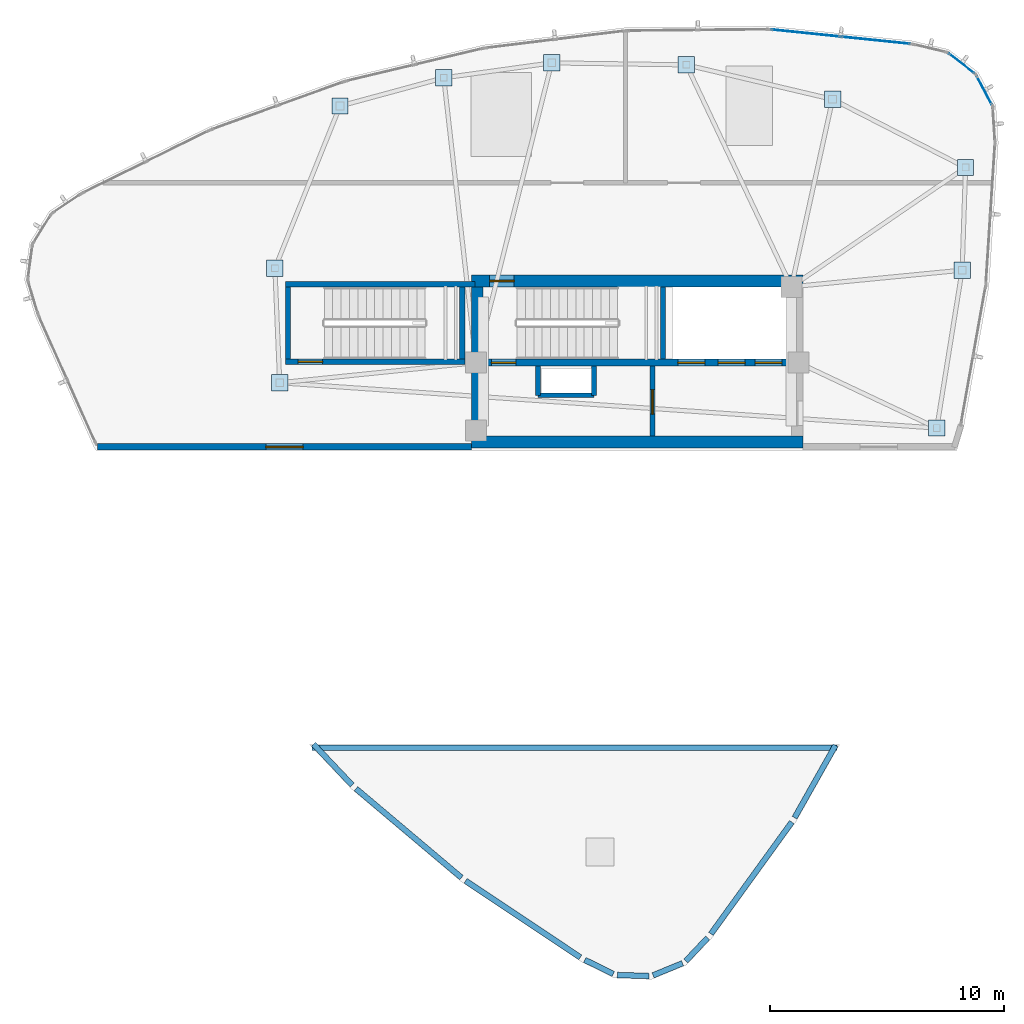
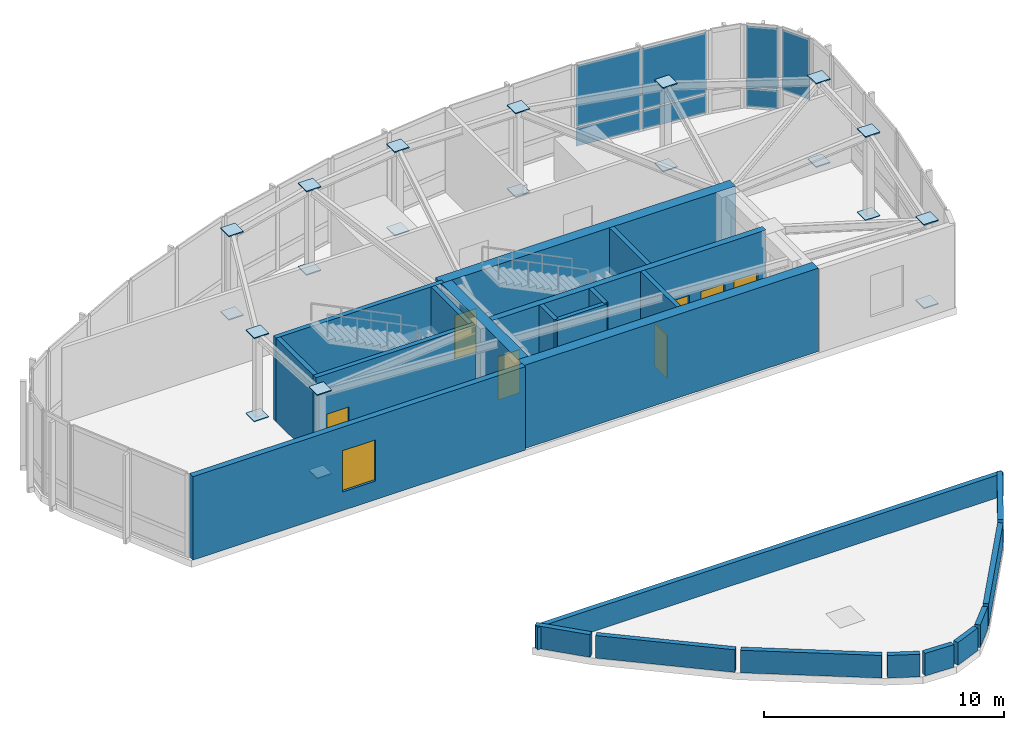
# One storey, part 7 of 11: 27 plates, 24 walls, 7 doors, 1 window, 8 openings, 3 elements without a shape of their own.
"""IFC4 building model written with IfcOpenShell, lengths in metres."""

from ifc_helpers import new_model, si_unit, direction, frame, frame_2d, origin, origin_2d, place, context, subcontext, project, spatial, rectangle, extrude, source, transform, mapped, material, layer, layer_set, type_object, type_shapes, element, fill, aggregate, save


model = new_model("IFC4")

# Units and contexts
model_context = context("Model", 3, precision=1e-05, world=origin(), true_north=direction((0.0, 1.0)))
body_context = subcontext(model_context, "Body", "Model", "MODEL_VIEW")
ifc_project = project(units=[si_unit("LENGTHUNIT", "METRE"), si_unit("AREAUNIT", "SQUARE_METRE"), si_unit("VOLUMEUNIT", "CUBIC_METRE"), si_unit("PLANEANGLEUNIT", "RADIAN"), si_unit("MASSUNIT", "GRAM", prefix="KILO")], contexts=[model_context])

# Site, building, storey
site_placement = place(None, origin())
site = spatial("IfcSite", under=ifc_project, at=site_placement, CompositionType="ELEMENT")
building_placement = place(site_placement, origin())
building = spatial("IfcBuilding", under=site, at=building_placement, Name="Tavelor Broadcast Tower", CompositionType="ELEMENT")
storey_placement = place(building_placement, frame((0.0, 0.0, 345.89990234375)))
storey = spatial("IfcBuildingStorey", under=building, at=storey_placement, Name="L82", CompositionType="ELEMENT", Elevation=345.89990234375)

# Plates
ifc_material_1 = material(Name="Steel S460", Category="steel")
ifc_layer_1 = layer(ifc_material_1, 0.050048828125)
ifc_layer_set_1 = layer_set([ifc_layer_1], Name="Steel S460")
plate_type_1 = type_object("IfcPlateType", Name="Tube Hollow-End Cap Plate KN05 700x700x50", PredefinedType="USERDEFINED", material=ifc_layer_set_1)
shared_shape_1 = source(origin(), body_context, "Body", "SweptSolid", [
    extrude(rectangle(XDim=0.699951171875, YDim=0.699951171875, at=origin_2d()), origin(), (0.0, 0.0, 1.0), 0.054931640625),
])
type_shapes(plate_type_1, [shared_shape_1])
for number, where, z_axis, x_axis, name in (
    (1, (37.27294921875, 58.9375, -0.02734375), (0.0, 0.0, 1.0), (1.0, 0.0, 0.0), "L82 Hollow End Cap Plate KN05 #2503"),
    (2, (37.27294921875, 58.9375, 4.22265625), (0.0, 0.0, 1.0), (1.0, 0.0, 0.0), "L82 Hollow End Cap Plate KN05 #2504"),
    (3, (34.4853515625, 51.989013671875, -0.02734375), (0.0, 0.0, 1.0), (1.0, 0.0, 0.0), "L82 Hollow End Cap Plate KN05 #2505"),
    (4, (34.4853515625, 51.989013671875, 4.22265625), (0.0, 0.0, 1.0), (1.0, 0.0, 0.0), "L82 Hollow End Cap Plate KN05 #2506"),
    (5, (34.690673828125, 47.090087890625, -0.02734375), (0.0, 0.0, 1.0), (1.0, 0.0, 0.0), "L82 Hollow End Cap Plate KN05 #2507"),
    (6, (34.690673828125, 47.090087890625, 4.22265625), (0.0, 0.0, 1.0), (1.0, 0.0, 0.0), "L82 Hollow End Cap Plate KN05 #2508"),
    (7, (62.826416015625, 45.14990234375, -0.02734375), (0.0, 0.0, 1.0), (1.0, 0.0, 0.0), "L82 Hollow End Cap Plate KN05 #2509"),
    (8, (62.826416015625, 45.14990234375, 4.22265625), (0.0, 0.0, 1.0), (1.0, 0.0, 0.0), "L82 Hollow End Cap Plate KN05 #2510"),
    (9, (63.910888671875, 51.91064453125, -0.02734375), (0.0, 0.0, 1.0), (1.0, 0.0, 0.0), "L82 Hollow End Cap Plate KN05 #2511"),
    (10, (63.910888671875, 51.91064453125, 4.22265625), (0.0, 0.0, 1.0), (1.0, 0.0, 0.0), "L82 Hollow End Cap Plate KN05 #2512"),
    (11, (64.058349609375, 56.30859375, -0.02734375), (0.0, 0.0, 1.0), (1.0, 0.0, 0.0), "L82 Hollow End Cap Plate KN05 #2513"),
    (12, (64.058349609375, 56.30859375, 4.22265625), (0.0, 0.0, 1.0), (1.0, 0.0, 0.0), "L82 Hollow End Cap Plate KN05 #2514"),
    (13, (58.364013671875, 59.226318359375, -0.02734375), (0.0, 0.0, 1.0), (1.0, 0.0, 0.0), "L82 Hollow End Cap Plate KN05 #2515"),
    (14, (58.364013671875, 59.226318359375, 4.22265625), (0.0, 0.0, 1.0), (1.0, 0.0, 0.0), "L82 Hollow End Cap Plate KN05 #2516"),
    (15, (52.10400390625, 60.701416015625, -0.02734375), (0.0, 0.0, 1.0), (1.0, 0.0, 0.0), "L82 Hollow End Cap Plate KN05 #2517"),
    (16, (52.10400390625, 60.701416015625, 4.22265625), (0.0, 0.0, 1.0), (1.0, 0.0, 0.0), "L82 Hollow End Cap Plate KN05 #2518"),
    (17, (46.337158203125, 60.786865234375, -0.02734375), (0.0, 0.0, 1.0), (1.0, 0.0, 0.0), "L82 Hollow End Cap Plate KN05 #2519"),
    (18, (46.337158203125, 60.786865234375, 4.22265625), (0.0, 0.0, 1.0), (1.0, 0.0, 0.0), "L82 Hollow End Cap Plate KN05 #2520"),
    (19, (41.715087890625, 60.145751953125, -0.02734375), (0.0, 0.0, 1.0), (1.0, 0.0, 0.0), "L82 Hollow End Cap Plate KN05 #2521"),
    (20, (41.715087890625, 60.145751953125, 4.22265625), (0.0, 0.0, 1.0), (1.0, 0.0, 0.0), "L82 Hollow End Cap Plate KN05 #2522"),
):
    element("IfcPlate", number, at=place(storey_placement, frame(where, z_axis=z_axis, x_axis=x_axis)), inside=storey, type_object=plate_type_1, Name=name, ObjectType="CAP PLATE", PredefinedType="USERDEFINED", context=body_context, shape_type="MappedRepresentation", body=[
        mapped(shared_shape_1, transform((0.0, 0.0, 0.0), scale=1.0)),
    ])

# Curtain wall, plates
ifc_material_2 = material(Name="Architectural Anodized Aluminium", Category="aluminium")
ifc_layer_2 = layer(ifc_material_2, 0.2099609375)
ifc_layer_set_2 = layer_set([ifc_layer_2], Name="Architectural Anodized Aluminium")
curtain_wall_type = type_object("IfcCurtainWallType", Name="Split-Crown Beacon Curtain Wall CW06", PredefinedType="NOTDEFINED", material=ifc_layer_set_2)
curtain_wall_1_placement = place(storey_placement, origin())
curtain_wall_1 = element("IfcCurtainWall", 21, at=curtain_wall_1_placement, inside=storey, type_object=curtain_wall_type, Name="L82 Curtain Wall CW06 Run 961", PredefinedType="NOTDEFINED")
ifc_material_3 = material(Name="Dichroic Solar Laminated Glazing 34 mm", Category="glass")
ifc_layer_3 = layer(ifc_material_3, 0.033935546875)
ifc_layer_set_3 = layer_set([ifc_layer_3], Name="Dichroic Solar Laminated Glazing 34 mm")
plate_type_2 = type_object("IfcPlateType", Name="CW06 Insulated Vision Glazing Panel 34 mm", PredefinedType="CURTAIN_PANEL", material=ifc_layer_set_3)
shared_shape_2 = source(origin(), body_context, "Body", "SweptSolid", [
    extrude(rectangle(XDim=2.94140625, YDim=0.033935546875, at=origin_2d()), origin(), (0.0, 0.0, 1.0), 0.94189453125),
])
plate_1_placement = place(storey_placement, frame((60.2080078125, 61.753173828125, 0.072265625), z_axis=(0.0, 0.0, 1.0), x_axis=(-0.99473700933, 0.102461125653, 0.0)))
plate_1 = element("IfcPlate", 22, at=plate_1_placement, type_object=plate_type_2, Name="CW06 panel 1.1", PredefinedType="CURTAIN_PANEL", context=body_context, shape_type="MappedRepresentation", body=[
    mapped(shared_shape_2, transform((0.0, 0.0, 0.0), scale=1.0)),
])
plate_2_placement = place(storey_placement, frame((57.21044921875, 62.06201171875, 0.072265625), z_axis=(0.0, 0.0, 1.0), x_axis=(-0.99473700933, 0.102461125653, 0.0)))
plate_2 = element("IfcPlate", 23, at=plate_2_placement, type_object=plate_type_2, Name="CW06 panel 2.1", PredefinedType="CURTAIN_PANEL", context=body_context, shape_type="MappedRepresentation", body=[
    mapped(shared_shape_2, transform((0.0, 0.0, 0.0), scale=1.0)),
])
shared_shape_3 = source(origin(), body_context, "Body", "SweptSolid", [
    extrude(rectangle(XDim=2.94140625, YDim=0.033935546875, at=origin_2d()), origin(), (0.0, 0.0, 1.0), 3.092041015625),
])
plate_3_placement = place(storey_placement, frame((60.2080078125, 61.753173828125, 1.0859375), z_axis=(0.0, 0.0, 1.0), x_axis=(-0.99473700933, 0.102461125653, 0.0)))
plate_3 = element("IfcPlate", 24, at=plate_3_placement, type_object=plate_type_2, Name="CW06 panel 1.2", PredefinedType="CURTAIN_PANEL", context=body_context, shape_type="MappedRepresentation", body=[
    mapped(shared_shape_3, transform((0.0, 0.0, 0.0), scale=1.0)),
])
plate_4_placement = place(storey_placement, frame((57.21044921875, 62.06201171875, 1.0859375), z_axis=(0.0, 0.0, 1.0), x_axis=(-0.99473700933, 0.102461125653, 0.0)))
plate_4 = element("IfcPlate", 25, at=plate_4_placement, type_object=plate_type_2, Name="CW06 panel 2.2", PredefinedType="CURTAIN_PANEL", context=body_context, shape_type="MappedRepresentation", body=[
    mapped(shared_shape_3, transform((0.0, 0.0, 0.0), scale=1.0)),
])
aggregate(curtain_wall_1, [plate_1, plate_3, plate_2, plate_4])

# Curtain wall, plate
curtain_wall_2_placement = place(storey_placement, origin())
curtain_wall_2 = element("IfcCurtainWall", 26, at=curtain_wall_2_placement, inside=storey, type_object=curtain_wall_type, Name="L82 Curtain Wall CW06 Run 959", PredefinedType="NOTDEFINED")
shared_shape_4 = source(origin(), body_context, "Body", "SweptSolid", [
    extrude(rectangle(XDim=1.3662109375, YDim=0.033935546875, at=origin_2d()), origin(), (0.0, 0.0, 1.0), 0.94189453125),
])
plate_5_placement = place(storey_placement, frame((63.88623046875, 60.7626953125, 0.072265625), z_axis=(0.0, 0.0, 1.0), x_axis=(-0.791749315653, 0.610846151795, 0.0)))
plate_5 = element("IfcPlate", 27, at=plate_5_placement, type_object=plate_type_2, Name="CW06 panel 1.1", PredefinedType="CURTAIN_PANEL", context=body_context, shape_type="MappedRepresentation", body=[
    mapped(shared_shape_4, transform((0.0, 0.0, 0.0), scale=1.0)),
])

curtain_wall_3_placement = place(storey_placement, origin())
curtain_wall_3 = element("IfcCurtainWall", 28, at=curtain_wall_3_placement, inside=storey, type_object=curtain_wall_type, Name="L82 Curtain Wall CW06 Run 958", PredefinedType="NOTDEFINED")
shared_shape_5 = source(origin(), body_context, "Body", "SweptSolid", [
    extrude(rectangle(XDim=1.3662109375, YDim=0.033935546875, at=origin_2d()), origin(), (0.0, 0.0, 1.0), 3.092041015625),
])
type_shapes(plate_type_2, [shared_shape_2, shared_shape_3, shared_shape_4, shared_shape_5])
plate_6_placement = place(storey_placement, frame((64.858154296875, 59.61279296875, 1.0859375), z_axis=(0.0, 0.0, 1.0), x_axis=(-0.470213568918, 0.882552661095, 0.0)))
plate_6 = element("IfcPlate", 29, at=plate_6_placement, type_object=plate_type_2, Name="CW06 panel 1.2", PredefinedType="CURTAIN_PANEL", context=body_context, shape_type="MappedRepresentation", body=[
    mapped(shared_shape_5, transform((0.0, 0.0, 0.0), scale=1.0)),
])
aggregate(curtain_wall_3, [plate_6])

# Plate
plate_7_placement = place(storey_placement, frame((63.88623046875, 60.7626953125, 1.0859375), z_axis=(0.0, 0.0, 1.0), x_axis=(-0.791749315653, 0.610846151795, 0.0)))
plate_7 = element("IfcPlate", 30, at=plate_7_placement, type_object=plate_type_2, Name="CW06 panel 1.2", PredefinedType="CURTAIN_PANEL", context=body_context, shape_type="MappedRepresentation", body=[
    mapped(shared_shape_5, transform((0.0, 0.0, 0.0), scale=1.0)),
])

aggregate(curtain_wall_2, [plate_5, plate_7])

# Wall, opening, door
ifc_material_4 = material(Name="Concrete C50/60", Category="concrete")
ifc_layer_4 = layer(ifc_material_4, 0.5)
ifc_layer_set_4 = layer_set([ifc_layer_4], Name="Concrete C50/60")
wall_type_1 = type_object("IfcWallType", Name="Core Shear Wall 500 mm", PredefinedType="SHEAR", material=ifc_layer_set_4)
wall_1_placement = place(storey_placement, frame((42.89990234375, 51.449951171875, 0.0), z_axis=(0.0, 0.0, 1.0), x_axis=(1.0, 0.0, 0.0)))
wall_1 = element("IfcWall", 31, at=wall_1_placement, inside=storey, type_object=wall_type_1, Name="L82 Central Core Shear Wall N", PredefinedType="SHEAR", context=body_context, shape_type="SweptSolid", body=[
    extrude(rectangle(XDim=14.2001953125, YDim=0.5, at=frame_2d((7.10009765625, 0.0))), origin(), (0.0, 0.0, 1.0), 4.25),
])
opening_1_placement = place(wall_1_placement, frame((0.780029296875, 0.0, 0.0)))
opening_1 = element("IfcOpeningElement", 32, at=opening_1_placement, cuts=wall_1, Name="Opening DR11", PredefinedType="OPENING", context=body_context, shape_type="SweptSolid", body=[
    extrude(rectangle(XDim=1.050048828125, YDim=2.199951171875, at=frame_2d((0.52490234375, 1.10009765625))), frame((0.0, 0.260009765625, 0.0), z_axis=(0.0, -1.0, 0.0), x_axis=(1.0, 0.0, 0.0)), (0.0, 0.0, 1.0), 0.52001953125),
])
ifc_material_5 = material(Name="Steel S355", Category="steel")
door_type_1 = type_object("IfcDoorType", Name="Stair Core Fire Escape Door 1050x2200", OperationType="NOTDEFINED", PredefinedType="DOOR", material=ifc_material_5)
door_1_placement = place(opening_1_placement, origin())
door_1 = element("IfcDoor", 33, at=door_1_placement, inside=storey, type_object=door_type_1, Name="L82 Stair ST1 Protected Exit Door", OperationType="SINGLE_SWING_LEFT", OverallHeight=2.199951171875, OverallWidth=1.050048828125, PredefinedType="DOOR", context=body_context, shape_type="SweptSolid", body=[
    extrude(rectangle(XDim=1.050048828125, YDim=2.199951171875, at=frame_2d((0.52490234375, 1.10009765625))), frame((0.0, 0.02490234375, 0.0), z_axis=(0.0, -1.0, 0.0), x_axis=(1.0, 0.0, 0.0)), (0.0, 0.0, 1.0), 0.050048828125),
])
fill(opening_1, door_1)

# Walls
wall_2_placement = place(storey_placement, frame((42.89990234375, 44.550048828125, 0.0), z_axis=(0.0, 0.0, 1.0), x_axis=(1.0, 0.0, 0.0)))
element("IfcWall", 34, at=wall_2_placement, inside=storey, type_object=wall_type_1, Name="L82 Central Core Shear Wall S", PredefinedType="SHEAR", context=body_context, shape_type="SweptSolid", body=[
    extrude(rectangle(XDim=14.2001953125, YDim=0.5, at=frame_2d((7.10009765625, 0.0))), origin(), (0.0, 0.0, 1.0), 4.25),
])
wall_3_placement = place(storey_placement, frame((43.14990234375, 44.800048828125, 0.0), z_axis=(0.0, 0.0, 1.0), x_axis=(0.0, 1.0, 0.0)))
element("IfcWall", 35, at=wall_3_placement, inside=storey, type_object=wall_type_1, Name="L82 Central Core Shear Wall W", PredefinedType="SHEAR", context=body_context, shape_type="SweptSolid", body=[
    extrude(rectangle(XDim=6.39990234375, YDim=0.5, at=frame_2d((3.199951171875, 0.0))), origin(), (0.0, 0.0, 1.0), 4.25),
])

# Wall, openings, doors
ifc_layer_5 = layer(ifc_material_4, 0.300048828125)
ifc_layer_set_5 = layer_set([ifc_layer_5], Name="Concrete C50/60")
wall_type_2 = type_object("IfcWallType", Name="Core Spine Shear Wall 300 mm C50", PredefinedType="SHEAR", material=ifc_layer_set_5)
wall_4_placement = place(storey_placement, frame((43.39990234375, 47.949951171875, 0.0), z_axis=(0.0, 0.0, 1.0), x_axis=(1.0, 0.0, 0.0)))
wall_4 = element("IfcWall", 36, at=wall_4_placement, inside=storey, type_object=wall_type_2, Name="L82 Central Core Shear Wall SP1", PredefinedType="SHEAR", context=body_context, shape_type="SweptSolid", body=[
    extrude(rectangle(XDim=13.2001953125, YDim=0.300048828125, at=frame_2d((6.60009765625, 0.0))), origin(), (0.0, 0.0, 1.0), 4.25),
])
opening_2_placement = place(wall_4_placement, frame((0.35009765625, 0.0, 0.0)))
opening_2 = element("IfcOpeningElement", 37, at=opening_2_placement, cuts=wall_4, Name="Opening DR11", PredefinedType="OPENING", context=body_context, shape_type="SweptSolid", body=[
    extrude(rectangle(XDim=1.050048828125, YDim=2.199951171875, at=frame_2d((0.52490234375, 1.10009765625))), frame((0.0, 0.16015625, 0.0), z_axis=(0.0, -1.0, 0.0), x_axis=(1.0, 0.0, 0.0)), (0.0, 0.0, 1.0), 0.320068359375),
])
opening_3_placement = place(wall_4_placement, frame((8.344970703125, 0.0, 0.0)))
opening_3 = element("IfcOpeningElement", 38, at=opening_3_placement, cuts=wall_4, Name="Opening LD02", PredefinedType="OPENING", context=body_context, shape_type="SweptSolid", body=[
    extrude(rectangle(XDim=1.14990234375, YDim=2.199951171875, at=frame_2d((0.574951171875, 1.10009765625))), frame((0.0, 0.16015625, 0.0), z_axis=(0.0, -1.0, 0.0), x_axis=(1.0, 0.0, 0.0)), (0.0, 0.0, 1.0), 0.320068359375),
])
opening_4_placement = place(wall_4_placement, frame((10.06494140625, 0.0, 0.0)))
opening_4 = element("IfcOpeningElement", 39, at=opening_4_placement, cuts=wall_4, Name="Opening LD02", PredefinedType="OPENING", context=body_context, shape_type="SweptSolid", body=[
    extrude(rectangle(XDim=1.14990234375, YDim=2.199951171875, at=frame_2d((0.574951171875, 1.10009765625))), frame((0.0, 0.16015625, 0.0), z_axis=(0.0, -1.0, 0.0), x_axis=(1.0, 0.0, 0.0)), (0.0, 0.0, 1.0), 0.320068359375),
])
opening_5_placement = place(wall_4_placement, frame((11.64501953125, 0.0, 0.0)))
opening_5 = element("IfcOpeningElement", 40, at=opening_5_placement, cuts=wall_4, Name="Opening LD03", PredefinedType="OPENING", context=body_context, shape_type="SweptSolid", body=[
    extrude(rectangle(XDim=1.14990234375, YDim=2.199951171875, at=frame_2d((0.574951171875, 1.10009765625))), frame((0.0, 0.16015625, 0.0), z_axis=(0.0, -1.0, 0.0), x_axis=(1.0, 0.0, 0.0)), (0.0, 0.0, 1.0), 0.320068359375),
])
ifc_material_6 = material(Name="Reinforced Brushed Stainless Steel", Category="concrete")
door_type_2 = type_object("IfcDoorType", Name="Broadcast Goods Lift Sliding Landing Door 1250x2200", OperationType="NOTDEFINED", PredefinedType="DOOR", material=ifc_material_6)
door_2_placement = place(opening_5_placement, origin())
door_2 = element("IfcDoor", 41, at=door_2_placement, inside=storey, type_object=door_type_2, Name="L82 Lift SVL1 Sliding Landing Door", OperationType="SLIDING_TO_LEFT", OverallHeight=2.199951171875, OverallWidth=1.14990234375, PredefinedType="DOOR", context=body_context, shape_type="SweptSolid", body=[
    extrude(rectangle(XDim=1.14990234375, YDim=2.199951171875, at=frame_2d((0.574951171875, 1.10009765625))), frame((0.0, 0.02490234375, 0.0), z_axis=(0.0, -1.0, 0.0), x_axis=(1.0, 0.0, 0.0)), (0.0, 0.0, 1.0), 0.050048828125),
])
fill(opening_5, door_2)
ifc_material_7 = material(Name="Fire-Rated Stainless Steel", Category="steel")
door_type_3 = type_object("IfcDoorType", Name="Firefighting Lift Sliding Landing Door 1200x2200", OperationType="NOTDEFINED", PredefinedType="DOOR", material=ifc_material_7)
door_3_placement = place(opening_3_placement, origin())
door_3 = element("IfcDoor", 42, at=door_3_placement, inside=storey, type_object=door_type_3, Name="L82 Lift FFL1 Sliding Landing Door", OperationType="SLIDING_TO_LEFT", OverallHeight=2.199951171875, OverallWidth=1.14990234375, PredefinedType="DOOR", context=body_context, shape_type="SweptSolid", body=[
    extrude(rectangle(XDim=1.14990234375, YDim=2.199951171875, at=frame_2d((0.574951171875, 1.10009765625))), frame((0.0, 0.02490234375, 0.0), z_axis=(0.0, -1.0, 0.0), x_axis=(1.0, 0.0, 0.0)), (0.0, 0.0, 1.0), 0.050048828125),
])
fill(opening_3, door_3)
door_4_placement = place(opening_4_placement, origin())
door_4 = element("IfcDoor", 43, at=door_4_placement, inside=storey, type_object=door_type_3, Name="L82 Lift FFL2 Sliding Landing Door", OperationType="SLIDING_TO_LEFT", OverallHeight=2.199951171875, OverallWidth=1.14990234375, PredefinedType="DOOR", context=body_context, shape_type="SweptSolid", body=[
    extrude(rectangle(XDim=1.14990234375, YDim=2.199951171875, at=frame_2d((0.574951171875, 1.10009765625))), frame((0.0, 0.02490234375, 0.0), z_axis=(0.0, -1.0, 0.0), x_axis=(1.0, 0.0, 0.0)), (0.0, 0.0, 1.0), 0.050048828125),
])
fill(opening_4, door_4)
door_5_placement = place(opening_2_placement, origin())
door_5 = element("IfcDoor", 44, at=door_5_placement, inside=storey, type_object=door_type_1, Name="L82 Crown Core Stair ST1 Door", OperationType="SINGLE_SWING_LEFT", OverallHeight=2.199951171875, OverallWidth=1.050048828125, PredefinedType="DOOR", context=body_context, shape_type="SweptSolid", body=[
    extrude(rectangle(XDim=1.050048828125, YDim=2.199951171875, at=frame_2d((0.52490234375, 1.10009765625))), frame((0.0, 0.02490234375, 0.0), z_axis=(0.0, -1.0, 0.0), x_axis=(1.0, 0.0, 0.0)), (0.0, 0.0, 1.0), 0.050048828125),
])
fill(opening_2, door_5)

# Wall, opening, window
ifc_material_8 = material(Name="Precast Concrete C40/50", Category="concrete")
ifc_layer_6 = layer(ifc_material_8, 0.280029296875)
ifc_layer_set_6 = layer_set([ifc_layer_6], Name="Precast Concrete C40/50")
wall_type_3 = type_object("IfcWallType", Name="Insulated Precast Terracotta Facade Wall 280 mm", PredefinedType="STANDARD", material=ifc_layer_set_6)
wall_5_placement = place(storey_placement, frame((26.881103515625, 44.340087890625, 0.0), z_axis=(0.0, 0.0, 1.0), x_axis=(1.0, 0.0, 0.0)))
wall_5 = element("IfcWall", 45, at=wall_5_placement, inside=storey, type_object=wall_type_3, Name="L82 Crown Peak A Sky-Slot Wall 01.1", PredefinedType="STANDARD", context=body_context, shape_type="SweptSolid", body=[
    extrude(rectangle(XDim=16.02880859375, YDim=0.280029296875, at=frame_2d((8.014404296875, 0.0))), origin(), (0.0, 0.0, 1.0), 4.25),
])
opening_6_placement = place(wall_5_placement, frame((7.21435546875, 0.0, 0.949951171875)))
opening_6 = element("IfcOpeningElement", 46, at=opening_6_placement, cuts=wall_5, Name="Opening WN29", PredefinedType="OPENING", context=body_context, shape_type="SweptSolid", body=[
    extrude(rectangle(XDim=1.60009765625, YDim=2.10009765625, at=frame_2d((0.800048828125, 1.050048828125))), frame((0.0, 0.14990234375, 0.0), z_axis=(0.0, -1.0, 0.0), x_axis=(1.0, 0.0, 0.0)), (0.0, 0.0, 1.0), 0.300048828125),
])
ifc_material_9 = material(Name="Acoustic Double Glazing 28 mm", Category="glass")
window_type = type_object("IfcWindowType", Name="Crown Beacon Observation Window 1600x2100", PartitioningType="SINGLE_PANEL", PredefinedType="WINDOW", material=ifc_material_9)
window_placement = place(opening_6_placement, origin())
window = element("IfcWindow", 47, at=window_placement, inside=storey, type_object=window_type, Name="L82 Crown Sky-Slot Observation Window A01.1", OverallHeight=2.10009765625, OverallWidth=1.60009765625, PartitioningType="SINGLE_PANEL", PredefinedType="WINDOW", context=body_context, shape_type="SweptSolid", body=[
    extrude(rectangle(XDim=1.60009765625, YDim=2.10009765625, at=frame_2d((0.800048828125, 1.050048828125))), frame((0.0, 0.030029296875, 0.0), z_axis=(0.0, -1.0, 0.0), x_axis=(1.0, 0.0, 0.0)), (0.0, 0.0, 1.0), 0.06005859375),
])
fill(opening_6, window)

# Walls
ifc_material_10 = material(Name="Concrete Blockwork 200 mm", Category="masonry")
ifc_layer_7 = layer(ifc_material_10, 0.199951171875)
ifc_layer_set_7 = layer_set([ifc_layer_7], Name="Concrete Blockwork 200 mm")
wall_type_4 = type_object("IfcWallType", Name="Lift and Riser Shaft Enclosure Wall 200 mm", PredefinedType="PARTITIONING", material=ifc_layer_set_7)
wall_6_placement = place(storey_placement, frame((45.75, 46.550048828125, 0.0), z_axis=(0.0, 0.0, 1.0), x_axis=(1.0, 0.0, 0.0)))
element("IfcWall", 48, at=wall_6_placement, inside=storey, type_object=wall_type_4, Name="L82 Riser Shaft South Wall", PredefinedType="PARTITIONING", context=body_context, shape_type="SweptSolid", body=[
    extrude(rectangle(XDim=2.39990234375, YDim=0.199951171875, at=frame_2d((1.199951171875, 0.0))), origin(), (0.0, 0.0, 1.0), 4.25),
])
for number, where, z_axis, x_axis, name in (
    (49, (48.14990234375, 46.550048828125, 0.0), (0.0, 0.0, 1.0), (0.0, 1.0, 0.0), "L82 Riser Shaft East Wall"),
    (50, (45.75, 46.550048828125, 0.0), (0.0, 0.0, 1.0), (0.0, 1.0, 0.0), "L82 Riser Shaft West Wall"),
):
    element("IfcWall", number, at=place(storey_placement, frame(where, z_axis=z_axis, x_axis=x_axis)), inside=storey, type_object=wall_type_4, Name=name, PredefinedType="PARTITIONING", context=body_context, shape_type="SweptSolid", body=[
        extrude(rectangle(XDim=1.25, YDim=0.199951171875, at=frame_2d((0.625, 0.0))), origin(), (0.0, 0.0, 1.0), 4.25),
    ])

# Wall, opening, door
wall_7_placement = place(storey_placement, frame((50.64990234375, 44.800048828125, 0.0), z_axis=(0.0, 0.0, 1.0), x_axis=(0.0, 1.0, 0.0)))
wall_7 = element("IfcWall", 51, at=wall_7_placement, inside=storey, type_object=wall_type_4, Name="L82 Firefighting Lobby West Wall", PredefinedType="PARTITIONING", context=body_context, shape_type="SweptSolid", body=[
    extrude(rectangle(XDim=3.0, YDim=0.199951171875, at=frame_2d((1.5, 0.0))), origin(), (0.0, 0.0, 1.0), 4.25),
])
opening_7_placement = place(wall_7_placement, frame((0.949951171875, 0.0, 0.0)))
opening_7 = element("IfcOpeningElement", 52, at=opening_7_placement, cuts=wall_7, Name="Opening DR11", PredefinedType="OPENING", context=body_context, shape_type="SweptSolid", body=[
    extrude(rectangle(XDim=1.050048828125, YDim=2.199951171875, at=frame_2d((0.52490234375, 1.10009765625))), frame((0.0, 0.10986328125, 0.0), z_axis=(0.0, -1.0, 0.0), x_axis=(1.0, 0.0, 0.0)), (0.0, 0.0, 1.0), 0.219970703125),
])
door_6_placement = place(opening_7_placement, origin())
door_6 = element("IfcDoor", 53, at=door_6_placement, inside=storey, type_object=door_type_1, Name="L82 Firefighting Lobby Compartment Door", OperationType="SINGLE_SWING_LEFT", OverallHeight=2.199951171875, OverallWidth=1.050048828125, PredefinedType="DOOR", context=body_context, shape_type="SweptSolid", body=[
    extrude(rectangle(XDim=1.050048828125, YDim=2.199951171875, at=frame_2d((0.52490234375, 1.10009765625))), frame((0.0, 0.02490234375, 0.0), z_axis=(0.0, -1.0, 0.0), x_axis=(1.0, 0.0, 0.0)), (0.0, 0.0, 1.0), 0.050048828125),
])
fill(opening_7, door_6)

# Walls
ifc_layer_8 = layer(ifc_material_8, 0.239990234375)
ifc_layer_set_8 = layer_set([ifc_layer_8], Name="Precast Concrete C40/50")
wall_type_5 = type_object("IfcWallType", Name="Roof and Terrace Perimeter Parapet Wall 240 mm", PredefinedType="PARAPET", material=ifc_layer_set_8)
wall_8_placement = place(storey_placement, frame((58.548583984375, 31.4599609375, 0.0), z_axis=(0.0, 0.0, 1.0), x_axis=(-1.0, 0.0, 0.0)))
element("IfcWall", 54, at=wall_8_placement, inside=storey, type_object=wall_type_5, Name="L82 Peak B Roof Perimeter Parapet 01", PredefinedType="PARAPET", context=body_context, shape_type="SweptSolid", body=[
    extrude(rectangle(XDim=22.470458984375, YDim=0.239990234375, at=frame_2d((11.2353515625, 0.0))), origin(), (0.0, 0.0, 1.0), 1.150146484375),
])
wall_9_placement = place(storey_placement, frame((36.142333984375, 31.609130859375, 0.0), z_axis=(0.0, 0.0, 1.0), x_axis=(0.687246180233, -0.726424591926, 0.0)))
element("IfcWall", 55, at=wall_9_placement, inside=storey, type_object=wall_type_5, Name="L82 Peak B Roof Perimeter Parapet 02", PredefinedType="PARAPET", context=body_context, shape_type="SweptSolid", body=[
    extrude(rectangle(XDim=2.4052734375, YDim=0.239990234375, at=frame_2d((1.20263671875, 0.0))), origin(), (0.0, 0.0, 1.0), 1.150146484375),
])
for number, where, z_axis, x_axis, name in (
    (56, (37.958251953125, 29.7080078125, 0.0), (0.0, 0.0, 1.0), (0.764351330445, -0.644800002828, 0.0), "L82 Peak B Roof Perimeter Parapet 03"),
    (57, (42.6513671875, 25.76513671875, 0.0), (0.0, 0.0, 1.0), (0.831783083987, -0.555100802732, 0.0), "L82 Peak B Roof Perimeter Parapet 04"),
):
    element("IfcWall", number, at=place(storey_placement, frame(where, z_axis=z_axis, x_axis=x_axis)), inside=storey, type_object=wall_type_5, Name=name, PredefinedType="PARAPET", context=body_context, shape_type="SweptSolid", body=[
        extrude(rectangle(XDim=5.90576171875, YDim=0.239990234375, at=frame_2d((2.952880859375, 0.0))), origin(), (0.0, 0.0, 1.0), 1.150146484375),
    ])
wall_10_placement = place(storey_placement, frame((47.75537109375, 22.376220703125, 0.0), z_axis=(0.0, 0.0, 1.0), x_axis=(0.896854293511, -0.44232609714, 0.0)))
element("IfcWall", 58, at=wall_10_placement, inside=storey, type_object=wall_type_5, Name="L82 Peak B Roof Perimeter Parapet 05", PredefinedType="PARAPET", context=body_context, shape_type="SweptSolid", body=[
    extrude(rectangle(XDim=1.360595703125, YDim=0.239990234375, at=frame_2d((0.68017578125, 0.0))), origin(), (0.0, 0.0, 1.0), 1.150146484375),
])
wall_11_placement = place(storey_placement, frame((49.14599609375, 21.7314453125, 0.0), z_axis=(0.0, 0.0, 1.0), x_axis=(0.999424607474, -0.033918342757, 0.0)))
element("IfcWall", 59, at=wall_11_placement, inside=storey, type_object=wall_type_5, Name="L82 Peak B Roof Perimeter Parapet 06", PredefinedType="PARAPET", context=body_context, shape_type="SweptSolid", body=[
    extrude(rectangle(XDim=1.3603515625, YDim=0.239990234375, at=frame_2d((0.68017578125, 0.0))), origin(), (0.0, 0.0, 1.0), 1.150146484375),
])
wall_12_placement = place(storey_placement, frame((50.6787109375, 21.71630859375, 0.0), z_axis=(0.0, 0.0, 1.0), x_axis=(0.924882367687, 0.380253344418, 0.0)))
element("IfcWall", 60, at=wall_12_placement, inside=storey, type_object=wall_type_5, Name="L82 Peak B Roof Perimeter Parapet 07", PredefinedType="PARAPET", context=body_context, shape_type="SweptSolid", body=[
    extrude(rectangle(XDim=1.360595703125, YDim=0.239990234375, at=frame_2d((0.68017578125, 0.0))), origin(), (0.0, 0.0, 1.0), 1.150146484375),
])
wall_13_placement = place(storey_placement, frame((52.081787109375, 22.333251953125, 0.0), z_axis=(0.0, 0.0, 1.0), x_axis=(0.6864443423, 0.727182346406, 0.0)))
element("IfcWall", 61, at=wall_13_placement, inside=storey, type_object=wall_type_5, Name="L82 Peak B Roof Perimeter Parapet 08", PredefinedType="PARAPET", context=body_context, shape_type="SweptSolid", body=[
    extrude(rectangle(XDim=1.3603515625, YDim=0.239990234375, at=frame_2d((0.68017578125, 0.0))), origin(), (0.0, 0.0, 1.0), 1.150146484375),
])
wall_14_placement = place(storey_placement, frame((53.15673828125, 23.492919921875, 0.0), z_axis=(0.0, 0.0, 1.0), x_axis=(0.5860805246, 0.810252811587, 0.0)))
element("IfcWall", 62, at=wall_14_placement, inside=storey, type_object=wall_type_5, Name="L82 Peak B Roof Perimeter Parapet 09", PredefinedType="PARAPET", context=body_context, shape_type="SweptSolid", body=[
    extrude(rectangle(XDim=5.906005859375, YDim=0.239990234375, at=frame_2d((2.953125, 0.0))), origin(), (0.0, 0.0, 1.0), 1.150146484375),
])
wall_15_placement = place(storey_placement, frame((56.739013671875, 28.466796875, 0.0), z_axis=(0.0, 0.0, 1.0), x_axis=(0.491645577382, 0.87079539861, 0.0)))
element("IfcWall", 63, at=wall_15_placement, inside=storey, type_object=wall_type_5, Name="L82 Peak B Roof Perimeter Parapet 10", PredefinedType="PARAPET", context=body_context, shape_type="SweptSolid", body=[
    extrude(rectangle(XDim=3.556884765625, YDim=0.239990234375, at=frame_2d((1.7783203125, 0.0))), origin(), (0.0, 0.0, 1.0), 1.150146484375),
])
ifc_material_11 = material(Name="Concrete C40/50", Category="concrete")
ifc_layer_9 = layer(ifc_material_11, 0.219970703125)
ifc_layer_set_9 = layer_set([ifc_layer_9], Name="Concrete C40/50")
wall_type_6 = type_object("IfcWallType", Name="Structural Stairwell Shear Wall 220 mm", PredefinedType="SHEAR", material=ifc_layer_set_9)
wall_16_placement = place(storey_placement, frame((51.110107421875, 48.10009765625, 0.0), z_axis=(0.0, 0.0, 1.0), x_axis=(0.0, 1.0, 0.0)))
element("IfcWall", 64, at=wall_16_placement, inside=storey, type_object=wall_type_6, Name="L82 Stair ST1 Structural Shaft Wall", PredefinedType="SHEAR", context=body_context, shape_type="SweptSolid", body=[
    extrude(rectangle(XDim=3.099853515625, YDim=0.219970703125, at=frame_2d((1.5498046875, 0.0))), origin(), (0.0, 0.0, 1.0), 4.25),
])

# Wall, opening, door
wall_17_placement = place(storey_placement, frame((34.929931640625, 47.989990234375, 0.0), z_axis=(0.0, 0.0, 1.0), x_axis=(1.0, 0.0, 0.0)))
wall_17 = element("IfcWall", 65, at=wall_17_placement, inside=storey, type_object=wall_type_6, Name="L82 Stair ST5 Structural Shaft Wall S", PredefinedType="SHEAR", context=body_context, shape_type="SweptSolid", body=[
    extrude(rectangle(XDim=7.690185546875, YDim=0.219970703125, at=frame_2d((3.84521484375, 0.0))), origin(), (0.0, 0.0, 1.0), 4.25),
])
opening_8_placement = place(wall_17_placement, frame((0.550048828125, 0.0, 0.0)))
opening_8 = element("IfcOpeningElement", 66, at=opening_8_placement, cuts=wall_17, Name="Opening DR11", PredefinedType="OPENING", context=body_context, shape_type="SweptSolid", body=[
    extrude(rectangle(XDim=1.050048828125, YDim=2.199951171875, at=frame_2d((0.52490234375, 1.10009765625))), frame((0.0, 0.1201171875, 0.0), z_axis=(0.0, -1.0, 0.0), x_axis=(1.0, 0.0, 0.0)), (0.0, 0.0, 1.0), 0.239990234375),
])
door_7_placement = place(opening_8_placement, origin())
door_7 = element("IfcDoor", 67, at=door_7_placement, inside=storey, type_object=door_type_1, Name="L82 Stair ST5 Protected Fire Door", OperationType="SINGLE_SWING_RIGHT", OverallHeight=2.199951171875, OverallWidth=1.050048828125, PredefinedType="DOOR", context=body_context, shape_type="SweptSolid", body=[
    extrude(rectangle(XDim=1.050048828125, YDim=2.199951171875, at=frame_2d((0.52490234375, 1.10009765625))), frame((0.0, 0.02490234375, 0.0), z_axis=(0.0, -1.0, 0.0), x_axis=(1.0, 0.0, 0.0)), (0.0, 0.0, 1.0), 0.050048828125),
])
fill(opening_8, door_7)

# Walls
wall_18_placement = place(storey_placement, frame((34.929931640625, 51.31005859375, 0.0), z_axis=(0.0, 0.0, 1.0), x_axis=(1.0, 0.0, 0.0)))
element("IfcWall", 68, at=wall_18_placement, inside=storey, type_object=wall_type_6, Name="L82 Stair ST5 Structural Shaft Wall N", PredefinedType="SHEAR", context=body_context, shape_type="SweptSolid", body=[
    extrude(rectangle(XDim=8.1201171875, YDim=0.219970703125, at=frame_2d((4.06005859375, 0.0))), origin(), (0.0, 0.0, 1.0), 4.25),
])
for number, where, z_axis, x_axis, name in (
    (69, (42.510009765625, 48.10009765625, 0.0), (0.0, 0.0, 1.0), (0.0, 1.0, 0.0), "L82 Stair ST5 Structural Shaft Wall E"),
    (70, (35.0400390625, 48.10009765625, 0.0), (0.0, 0.0, 1.0), (0.0, 1.0, 0.0), "L82 Stair ST5 Structural Shaft Wall W"),
):
    element("IfcWall", number, at=place(storey_placement, frame(where, z_axis=z_axis, x_axis=x_axis)), inside=storey, type_object=wall_type_6, Name=name, PredefinedType="SHEAR", context=body_context, shape_type="SweptSolid", body=[
        extrude(rectangle(XDim=3.099853515625, YDim=0.219970703125, at=frame_2d((1.5498046875, 0.0))), origin(), (0.0, 0.0, 1.0), 4.25),
    ])

save(model, "model.ifc")
